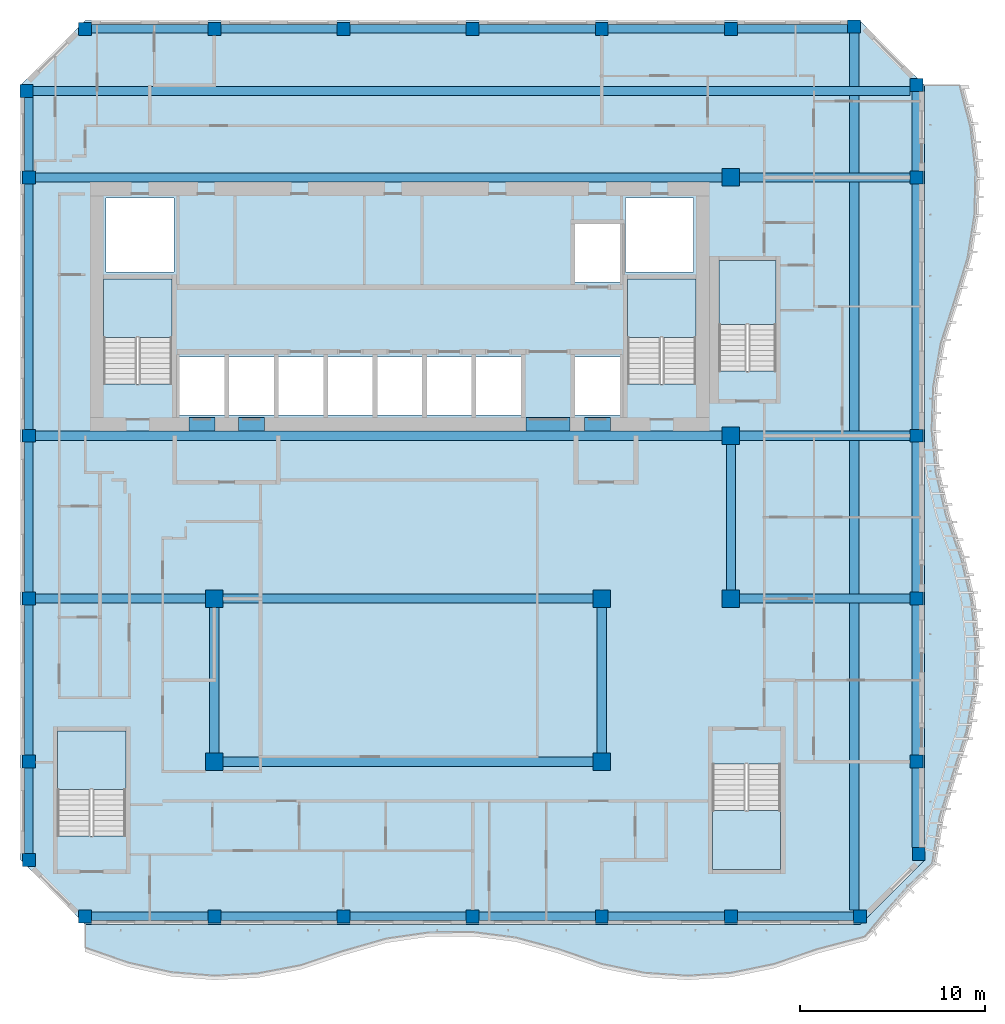
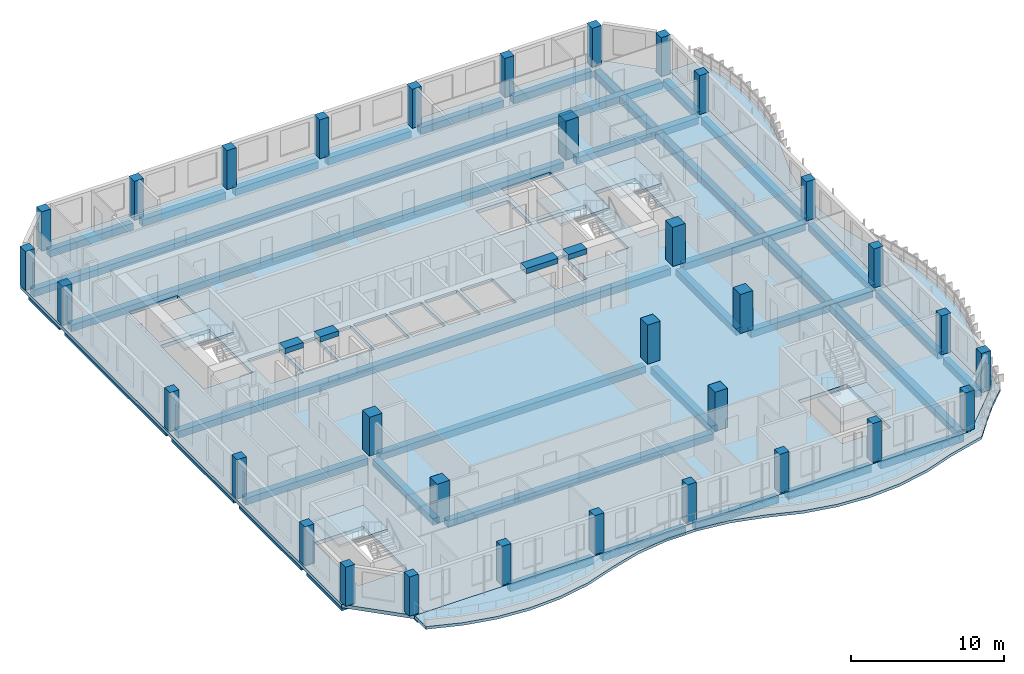
# One storey, part 1 of 19: 39 beams, 33 columns, 7 slabs, 5 elements without a shape of their own.
"""IFC4 building model written with IfcOpenShell, lengths in metres."""

from ifc_helpers import new_model, si_unit, direction, frame, origin, origin_2d, place, context, subcontext, project, spatial, polyline, rectangle, outline, extrude, source, transform, mapped, material, layer, layer_set, material_profile, profile_set, type_object, element, aggregate, save


model = new_model("IFC4")

# Units and contexts
model_context = context("Model", 3, precision=1e-05, world=origin(), true_north=direction((0.0, 1.0)))
body_context = subcontext(model_context, "Body", "Model", "MODEL_VIEW")
ifc_project = project(units=[si_unit("LENGTHUNIT", "METRE"), si_unit("AREAUNIT", "SQUARE_METRE"), si_unit("VOLUMEUNIT", "CUBIC_METRE"), si_unit("PLANEANGLEUNIT", "RADIAN"), si_unit("MASSUNIT", "GRAM", prefix="KILO")], contexts=[model_context])

# Site, building, storey
site_placement = place(None, origin())
site = spatial("IfcSite", under=ifc_project, at=site_placement, CompositionType="ELEMENT")
building_placement = place(site_placement, origin())
building = spatial("IfcBuilding", under=site, at=building_placement, Name="Kilnfold Tower and Market Hall", CompositionType="ELEMENT")
storey_placement = place(building_placement, frame((0.0, 0.0, 245.800048828125)))
storey = spatial("IfcBuildingStorey", under=building, at=storey_placement, Name="L59", CompositionType="ELEMENT", Elevation=245.800048828125)

# Columns
ifc_material_1 = material(Name="Concrete C60", Category="concrete")
ifc_material_profile_1 = material_profile(ifc_material_1, rectangle(XDim=0.699951171875, YDim=0.699951171875, at=origin_2d()), Name="RC 700x700")
ifc_profile_set_1 = profile_set([ifc_material_profile_1], Name="Concrete C60")
column_type_1 = type_object("IfcColumnType", Name="COLUMN 700X700 C60", PredefinedType="COLUMN", material=ifc_profile_set_1)
shared_shape_1 = source(origin(), body_context, "Body", "SweptSolid", [
    extrude(rectangle(XDim=0.699951171875, YDim=0.699951171875, at=origin_2d()), origin(), (0.0, 0.0, 1.0), 3.119873046875),
])
for number, where, z_axis, x_axis, name in (
    (1, (-19.181884765625, 26.681884765625, 0.0), (0.0, 0.0, 1.0), (1.0, 0.0, 0.0), "Column C-B7-1G"),
    (2, (-19.050048828125, -15.0, 0.0), (0.0, 0.0, 1.0), (1.0, 0.0, 0.0), "Column C-B7-1B"),
    (3, (-19.050048828125, -9.666748046875, 0.0), (0.0, 0.0, 1.0), (1.0, 0.0, 0.0), "Column C-B7-1C"),
    (4, (-19.050048828125, -0.833251953125, 0.0), (0.0, 0.0, 1.0), (1.0, 0.0, 0.0), "Column C-B7-1D"),
    (5, (-19.050048828125, 8.0, 0.0), (0.0, 0.0, 1.0), (1.0, 0.0, 0.0), "Column C-B7-1E"),
    (6, (-19.050048828125, 22.0, 0.0), (0.0, 0.0, 1.0), (1.0, 0.0, 0.0), "Column C-B7-1F"),
    (7, (-16.0, -18.050048828125, 0.0), (0.0, 0.0, 1.0), (1.0, 0.0, 0.0), "Column C-B7-2A"),
    (8, (-16.0, 30.050048828125, 0.0), (0.0, 0.0, 1.0), (1.0, 0.0, 0.0), "Column C-B7-2H"),
    (9, (-9.0, -18.050048828125, 0.0), (0.0, 0.0, 1.0), (1.0, 0.0, 0.0), "Column C-B7-3A"),
    (10, (-9.0, 30.050048828125, 0.0), (0.0, 0.0, 1.0), (1.0, 0.0, 0.0), "Column C-B7-3H"),
    (11, (-2.0, -18.050048828125, 0.0), (0.0, 0.0, 1.0), (1.0, 0.0, 0.0), "Column C-B7-4A"),
    (12, (-2.0, 30.050048828125, 0.0), (0.0, 0.0, 1.0), (1.0, 0.0, 0.0), "Column C-B7-4H"),
    (13, (5.0, -18.050048828125, 0.0), (0.0, 0.0, 1.0), (1.0, 0.0, 0.0), "Column C-B7-5A"),
    (14, (5.0, 30.050048828125, 0.0), (0.0, 0.0, 1.0), (1.0, 0.0, 0.0), "Column C-B7-5H"),
    (15, (12.0, -18.050048828125, 0.0), (0.0, 0.0, 1.0), (1.0, 0.0, 0.0), "Column C-B7-6A"),
    (16, (12.0, 30.050048828125, 0.0), (0.0, 0.0, 1.0), (1.0, 0.0, 0.0), "Column C-B7-6H"),
    (17, (19.0, -18.050048828125, 0.0), (0.0, 0.0, 1.0), (1.0, 0.0, 0.0), "Column C-B7-7A"),
    (18, (19.0, 30.050048828125, 0.0), (0.0, 0.0, 1.0), (1.0, 0.0, 0.0), "Column C-B7-7H"),
    (19, (25.681884765625, 30.181884765625, 0.0), (0.0, 0.0, 1.0), (1.0, 0.0, 0.0), "Column C-B7-8H"),
    (20, (26.0, -18.050048828125, 0.0), (0.0, 0.0, 1.0), (1.0, 0.0, 0.0), "Column C-B7-8A"),
    (21, (29.050048828125, -9.666748046875, 0.0), (0.0, 0.0, 1.0), (1.0, 0.0, 0.0), "Column C-B7-9C"),
    (22, (29.050048828125, -0.833251953125, 0.0), (0.0, 0.0, 1.0), (1.0, 0.0, 0.0), "Column C-B7-9D"),
    (23, (29.050048828125, 8.0, 0.0), (0.0, 0.0, 1.0), (1.0, 0.0, 0.0), "Column C-B7-9E"),
    (24, (29.050048828125, 22.0, 0.0), (0.0, 0.0, 1.0), (1.0, 0.0, 0.0), "Column C-B7-9F"),
    (25, (29.050048828125, 27.0, 0.0), (0.0, 0.0, 1.0), (1.0, 0.0, 0.0), "Column C-B7-9G"),
    (26, (29.181884765625, -14.681884765625, 0.0), (0.0, 0.0, 1.0), (1.0, 0.0, 0.0), "Column C-B7-9B"),
):
    element("IfcColumn", number, at=place(storey_placement, frame(where, z_axis=z_axis, x_axis=x_axis)), inside=storey, type_object=column_type_1, Name=name, PredefinedType="COLUMN", context=body_context, shape_type="MappedRepresentation", body=[
        mapped(shared_shape_1, transform((0.0, 0.0, 0.0))),
    ])
ifc_material_2 = material(Name="Concrete C60", Category="concrete")
ifc_material_profile_2 = material_profile(ifc_material_2, rectangle(XDim=0.949951171875, YDim=0.949951171875, at=origin_2d()), Name="RC 950x950")
ifc_profile_set_2 = profile_set([ifc_material_profile_2], Name="Concrete C60")
column_type_2 = type_object("IfcColumnType", Name="COLUMN 950X950 C60", PredefinedType="COLUMN", material=ifc_profile_set_2)
shared_shape_2 = source(origin(), body_context, "Body", "SweptSolid", [
    extrude(rectangle(XDim=0.949951171875, YDim=0.949951171875, at=origin_2d()), origin(), (0.0, 0.0, 1.0), 3.119873046875),
])
for number, where, z_axis, x_axis, name in (
    (27, (-9.0, -9.666748046875, 0.0), (0.0, 0.0, 1.0), (1.0, 0.0, 0.0), "Column C-B7-3C"),
    (28, (-9.0, -0.833251953125, 0.0), (0.0, 0.0, 1.0), (1.0, 0.0, 0.0), "Column C-B7-3D"),
    (29, (12.0, -9.666748046875, 0.0), (0.0, 0.0, 1.0), (1.0, 0.0, 0.0), "Column C-B7-6C"),
    (30, (12.0, -0.833251953125, 0.0), (0.0, 0.0, 1.0), (1.0, 0.0, 0.0), "Column C-B7-6D"),
    (31, (19.0, -0.833251953125, 0.0), (0.0, 0.0, 1.0), (1.0, 0.0, 0.0), "Column C-B7-7D"),
    (32, (19.0, 8.0, 0.0), (0.0, 0.0, 1.0), (1.0, 0.0, 0.0), "Column C-B7-7E"),
    (33, (19.0, 22.0, 0.0), (0.0, 0.0, 1.0), (1.0, 0.0, 0.0), "Column C-B7-7F"),
):
    element("IfcColumn", number, at=place(storey_placement, frame(where, z_axis=z_axis, x_axis=x_axis)), inside=storey, type_object=column_type_2, Name=name, PredefinedType="COLUMN", context=body_context, shape_type="MappedRepresentation", body=[
        mapped(shared_shape_2, transform((0.0, 0.0, 0.0))),
    ])

# Beams
ifc_material_3 = material(Name="Concrete C60", Category="concrete")
ifc_material_profile_3 = material_profile(ifc_material_3, rectangle(XDim=0.75, YDim=0.419921875, at=origin_2d()), Name="RC 750x420")
ifc_profile_set_3 = profile_set([ifc_material_profile_3], Name="Concrete C60")
beam_type_1 = type_object("IfcBeamType", Name="COUPLING BEAM 750X420 C60", PredefinedType="BEAM", material=ifc_profile_set_3)
shared_shape_3 = source(origin(), body_context, "Body", "SweptSolid", [
    extrude(rectangle(XDim=0.75, YDim=0.419921875, at=origin_2d()), origin(), (0.0, 0.0, 1.0), 1.400146484375),
])
beam_1_placement = place(storey_placement, frame((-10.3701171875, 8.625, 2.909912109375), z_axis=(1.0, 0.0, 0.0), x_axis=(0.0, 1.0, 0.0)))
element("IfcBeam", 34, at=beam_1_placement, inside=storey, type_object=beam_type_1, Name="Coupling beam CB420-60-CORE.34", PredefinedType="BEAM", context=body_context, shape_type="MappedRepresentation", body=[
    mapped(shared_shape_3, transform((0.0, 0.0, 0.0))),
])
shared_shape_4 = source(origin(), body_context, "Body", "SweptSolid", [
    extrude(rectangle(XDim=0.75, YDim=0.419921875, at=origin_2d()), origin(), (0.0, 0.0, 1.0), 1.39990234375),
])
for number, where, z_axis, x_axis, name in (
    (35, (-7.68994140625, 8.625, 2.909912109375), (1.0, 0.0, 0.0), (0.0, 1.0, 0.0), "Coupling beam CB420-60-CORE.35"),
    (36, (11.070068359375, 8.625, 2.909912109375), (1.0, 0.0, 0.0), (0.0, 1.0, 0.0), "Coupling beam CB420-60-CORE.37"),
):
    element("IfcBeam", number, at=place(storey_placement, frame(where, z_axis=z_axis, x_axis=x_axis)), inside=storey, type_object=beam_type_1, Name=name, PredefinedType="BEAM", context=body_context, shape_type="MappedRepresentation", body=[
        mapped(shared_shape_4, transform((0.0, 0.0, 0.0))),
    ])
shared_shape_5 = source(origin(), body_context, "Body", "SweptSolid", [
    extrude(rectangle(XDim=0.75, YDim=0.419921875, at=origin_2d()), origin(), (0.0, 0.0, 1.0), 2.400146484375),
])
beam_2_placement = place(storey_placement, frame((7.889892578125, 8.625, 2.909912109375), z_axis=(1.0, 0.0, 0.0), x_axis=(0.0, 1.0, 0.0)))
element("IfcBeam", 37, at=beam_2_placement, inside=storey, type_object=beam_type_1, Name="Coupling beam CB420-60-CORE.36", PredefinedType="BEAM", context=body_context, shape_type="MappedRepresentation", body=[
    mapped(shared_shape_5, transform((0.0, 0.0, 0.0))),
])
ifc_material_4 = material(Name="Concrete C45", Category="concrete")
ifc_material_profile_4 = material_profile(ifc_material_4, rectangle(XDim=0.449951171875, YDim=0.550048828125, at=origin_2d()), Name="RC 450x550")
ifc_profile_set_4 = profile_set([ifc_material_profile_4], Name="Concrete C45")
beam_type_2 = type_object("IfcBeamType", Name="EDGE BEAM 450X550 C45", PredefinedType="BEAM", material=ifc_profile_set_4)
shared_shape_6 = source(origin(), body_context, "Body", "SweptSolid", [
    extrude(rectangle(XDim=0.449951171875, YDim=0.550048828125, at=origin_2d()), origin(), (0.0, 0.0, 1.0), 13.2998046875),
])
for number, where, z_axis, x_axis, name in (
    (38, (-19.050048828125, 8.35009765625, -0.554931640625), (0.0, 1.0, 0.0), (-1.0, 0.0, 0.0), "Beam EB550-B7.50"),
    (39, (29.050048828125, 8.35009765625, -0.554931640625), (0.0, 1.0, 0.0), (-1.0, 0.0, 0.0), "Beam EB550-B7.58"),
):
    element("IfcBeam", number, at=place(storey_placement, frame(where, z_axis=z_axis, x_axis=x_axis)), inside=storey, type_object=beam_type_2, Name=name, PredefinedType="BEAM", context=body_context, shape_type="MappedRepresentation", body=[
        mapped(shared_shape_6, transform((0.0, 0.0, 0.0))),
    ])
shared_shape_7 = source(origin(), body_context, "Body", "SweptSolid", [
    extrude(rectangle(XDim=0.449951171875, YDim=0.550048828125, at=origin_2d()), origin(), (0.0, 0.0, 1.0), 6.2998046875),
])
for number, where, z_axis, x_axis, name in (
    (40, (-15.64990234375, -18.050048828125, -0.554931640625), (1.0, 0.0, 0.0), (0.0, 1.0, 0.0), "Beam EB550-B7.59"),
    (41, (-8.64990234375, -18.050048828125, -0.554931640625), (1.0, 0.0, 0.0), (0.0, 1.0, 0.0), "Beam EB550-B7.60"),
    (42, (-1.64990234375, -18.050048828125, -0.554931640625), (1.0, 0.0, 0.0), (0.0, 1.0, 0.0), "Beam EB550-B7.61"),
    (43, (5.35009765625, -18.050048828125, -0.554931640625), (1.0, 0.0, 0.0), (0.0, 1.0, 0.0), "Beam EB550-B7.62"),
    (44, (12.35009765625, -18.050048828125, -0.554931640625), (1.0, 0.0, 0.0), (0.0, 1.0, 0.0), "Beam EB550-B7.63"),
    (45, (19.35009765625, -18.050048828125, -0.554931640625), (1.0, 0.0, 0.0), (0.0, 1.0, 0.0), "Beam EB550-B7.64"),
    (46, (-15.64990234375, 30.050048828125, -0.554931640625), (1.0, 0.0, 0.0), (0.0, 1.0, 0.0), "Beam EB550-B7.72"),
    (47, (-8.64990234375, 30.050048828125, -0.554931640625), (1.0, 0.0, 0.0), (0.0, 1.0, 0.0), "Beam EB550-B7.73"),
    (48, (-1.64990234375, 30.050048828125, -0.554931640625), (1.0, 0.0, 0.0), (0.0, 1.0, 0.0), "Beam EB550-B7.74"),
    (49, (5.35009765625, 30.050048828125, -0.554931640625), (1.0, 0.0, 0.0), (0.0, 1.0, 0.0), "Beam EB550-B7.75"),
    (50, (12.35009765625, 30.050048828125, -0.554931640625), (1.0, 0.0, 0.0), (0.0, 1.0, 0.0), "Beam EB550-B7.76"),
):
    element("IfcBeam", number, at=place(storey_placement, frame(where, z_axis=z_axis, x_axis=x_axis)), inside=storey, type_object=beam_type_2, Name=name, PredefinedType="BEAM", context=body_context, shape_type="MappedRepresentation", body=[
        mapped(shared_shape_7, transform((0.0, 0.0, 0.0))),
    ])
ifc_material_5 = material(Name="Concrete C45", Category="concrete")
ifc_material_profile_5 = material_profile(ifc_material_5, rectangle(XDim=0.5, YDim=0.550048828125, at=origin_2d()), Name="RC 500x550")
ifc_profile_set_5 = profile_set([ifc_material_profile_5], Name="Concrete C45")
beam_type_3 = type_object("IfcBeamType", Name="BEAM 500X550 C45", PredefinedType="BEAM", material=ifc_profile_set_5)
shared_shape_8 = source(origin(), body_context, "Body", "SweptSolid", [
    extrude(rectangle(XDim=0.5, YDim=0.550048828125, at=origin_2d()), origin(), (0.0, 0.0, 1.0), 9.224853515625),
])
for number, where, z_axis, x_axis, name in (
    (51, (-18.699951171875, -0.830078125, -0.554931640625), (1.0, 0.0, 0.0), (0.0, 1.0, 0.0), "Beam BB550-B7.65"),
    (52, (19.47509765625, -0.830078125, -0.554931640625), (1.0, 0.0, 0.0), (0.0, 1.0, 0.0), "Beam BB550-B7.66"),
    (53, (19.47509765625, 8.0, -0.554931640625), (1.0, 0.0, 0.0), (0.0, 1.0, 0.0), "Beam BB550-B7.68"),
    (54, (19.47509765625, 22.0, -0.554931640625), (1.0, 0.0, 0.0), (0.0, 1.0, 0.0), "Beam BB550-B7.70"),
):
    element("IfcBeam", number, at=place(storey_placement, frame(where, z_axis=z_axis, x_axis=x_axis)), inside=storey, type_object=beam_type_3, Name=name, PredefinedType="BEAM", context=body_context, shape_type="MappedRepresentation", body=[
        mapped(shared_shape_8, transform((0.0, 0.0, 0.0))),
    ])
shared_shape_9 = source(origin(), body_context, "Body", "SweptSolid", [
    extrude(rectangle(XDim=0.5, YDim=0.550048828125, at=origin_2d()), origin(), (0.0, 0.0, 1.0), 37.224853515625),
])
for number, where, z_axis, x_axis, name in (
    (55, (-18.699951171875, 8.0, -0.554931640625), (1.0, 0.0, 0.0), (0.0, 1.0, 0.0), "Beam BB550-B7.67"),
    (56, (-18.699951171875, 22.0, -0.554931640625), (1.0, 0.0, 0.0), (0.0, 1.0, 0.0), "Beam BB550-B7.69"),
):
    element("IfcBeam", number, at=place(storey_placement, frame(where, z_axis=z_axis, x_axis=x_axis)), inside=storey, type_object=beam_type_3, Name=name, PredefinedType="BEAM", context=body_context, shape_type="MappedRepresentation", body=[
        mapped(shared_shape_9, transform((0.0, 0.0, 0.0))),
    ])
shared_shape_10 = source(origin(), body_context, "Body", "SweptSolid", [
    extrude(rectangle(XDim=0.5, YDim=0.550048828125, at=origin_2d()), origin(), (0.0, 0.0, 1.0), 47.53173828125),
])
for number, where, z_axis, x_axis, name in (
    (57, (-18.831787109375, 26.679931640625, -0.554931640625), (1.0, 0.0, 0.0), (0.0, 1.0, 0.0), "Beam BB550-B7.71"),
    (58, (25.679931640625, -17.699951171875, -0.554931640625), (0.0, 1.0, 0.0), (-1.0, 0.0, 0.0), "Beam BB550-B7.85"),
):
    element("IfcBeam", number, at=place(storey_placement, frame(where, z_axis=z_axis, x_axis=x_axis)), inside=storey, type_object=beam_type_3, Name=name, PredefinedType="BEAM", context=body_context, shape_type="MappedRepresentation", body=[
        mapped(shared_shape_10, transform((0.0, 0.0, 0.0))),
    ])
shared_shape_11 = source(origin(), body_context, "Body", "SweptSolid", [
    extrude(rectangle(XDim=0.449951171875, YDim=0.550048828125, at=origin_2d()), origin(), (0.0, 0.0, 1.0), 5.981689453125),
])
beam_3_placement = place(storey_placement, frame((19.35009765625, 30.050048828125, -0.554931640625), z_axis=(1.0, 0.0, 0.0), x_axis=(0.0, 1.0, 0.0)))
element("IfcBeam", 59, at=beam_3_placement, inside=storey, type_object=beam_type_2, Name="Beam EB550-B7.77", PredefinedType="BEAM", context=body_context, shape_type="MappedRepresentation", body=[
    mapped(shared_shape_11, transform((0.0, 0.0, 0.0))),
])
shared_shape_12 = source(origin(), body_context, "Body", "SweptSolid", [
    extrude(rectangle(XDim=0.449951171875, YDim=0.550048828125, at=origin_2d()), origin(), (0.0, 0.0, 1.0), 4.63330078125),
])
beam_4_placement = place(storey_placement, frame((-19.050048828125, -14.64990234375, -0.554931640625), z_axis=(0.0, 1.0, 0.0), x_axis=(-1.0, 0.0, 0.0)))
element("IfcBeam", 60, at=beam_4_placement, inside=storey, type_object=beam_type_2, Name="Beam EB550-B7.78", PredefinedType="BEAM", context=body_context, shape_type="MappedRepresentation", body=[
    mapped(shared_shape_12, transform((0.0, 0.0, 0.0))),
])
shared_shape_13 = source(origin(), body_context, "Body", "SweptSolid", [
    extrude(rectangle(XDim=0.449951171875, YDim=0.550048828125, at=origin_2d()), origin(), (0.0, 0.0, 1.0), 8.13330078125),
])
for number, where, z_axis, x_axis, name in (
    (61, (-19.050048828125, -9.316650390625, -0.554931640625), (0.0, 1.0, 0.0), (-1.0, 0.0, 0.0), "Beam EB550-B7.79"),
    (62, (-19.050048828125, -0.4833984375, -0.554931640625), (0.0, 1.0, 0.0), (-1.0, 0.0, 0.0), "Beam EB550-B7.80"),
    (63, (29.050048828125, -9.316650390625, -0.554931640625), (0.0, 1.0, 0.0), (-1.0, 0.0, 0.0), "Beam EB550-B7.87"),
    (64, (29.050048828125, -0.4833984375, -0.554931640625), (0.0, 1.0, 0.0), (-1.0, 0.0, 0.0), "Beam EB550-B7.88"),
):
    element("IfcBeam", number, at=place(storey_placement, frame(where, z_axis=z_axis, x_axis=x_axis)), inside=storey, type_object=beam_type_2, Name=name, PredefinedType="BEAM", context=body_context, shape_type="MappedRepresentation", body=[
        mapped(shared_shape_13, transform((0.0, 0.0, 0.0))),
    ])
shared_shape_14 = source(origin(), body_context, "Body", "SweptSolid", [
    extrude(rectangle(XDim=0.449951171875, YDim=0.550048828125, at=origin_2d()), origin(), (0.0, 0.0, 1.0), 3.981689453125),
])
beam_5_placement = place(storey_placement, frame((-19.050048828125, 22.35009765625, -0.554931640625), z_axis=(0.0, 1.0, 0.0), x_axis=(-1.0, 0.0, 0.0)))
element("IfcBeam", 65, at=beam_5_placement, inside=storey, type_object=beam_type_2, Name="Beam EB550-B7.81", PredefinedType="BEAM", context=body_context, shape_type="MappedRepresentation", body=[
    mapped(shared_shape_14, transform((0.0, 0.0, 0.0))),
])
shared_shape_15 = source(origin(), body_context, "Body", "SweptSolid", [
    extrude(rectangle(XDim=0.5, YDim=0.550048828125, at=origin_2d()), origin(), (0.0, 0.0, 1.0), 7.88330078125),
])
for number, where, z_axis, x_axis, name in (
    (66, (-9.0, -9.191650390625, -0.554931640625), (0.0, 1.0, 0.0), (-1.0, 0.0, 0.0), "Beam BB550-B7.82"),
    (67, (12.0, -9.191650390625, -0.554931640625), (0.0, 1.0, 0.0), (-1.0, 0.0, 0.0), "Beam BB550-B7.83"),
    (68, (19.0, -0.3583984375, -0.554931640625), (0.0, 1.0, 0.0), (-1.0, 0.0, 0.0), "Beam BB550-B7.84"),
):
    element("IfcBeam", number, at=place(storey_placement, frame(where, z_axis=z_axis, x_axis=x_axis)), inside=storey, type_object=beam_type_3, Name=name, PredefinedType="BEAM", context=body_context, shape_type="MappedRepresentation", body=[
        mapped(shared_shape_15, transform((0.0, 0.0, 0.0))),
    ])
shared_shape_16 = source(origin(), body_context, "Body", "SweptSolid", [
    extrude(rectangle(XDim=0.449951171875, YDim=0.550048828125, at=origin_2d()), origin(), (0.0, 0.0, 1.0), 4.315185546875),
])
beam_6_placement = place(storey_placement, frame((29.050048828125, -14.331787109375, -0.554931640625), z_axis=(0.0, 1.0, 0.0), x_axis=(-1.0, 0.0, 0.0)))
element("IfcBeam", 69, at=beam_6_placement, inside=storey, type_object=beam_type_2, Name="Beam EB550-B7.86", PredefinedType="BEAM", context=body_context, shape_type="MappedRepresentation", body=[
    mapped(shared_shape_16, transform((0.0, 0.0, 0.0))),
])
shared_shape_17 = source(origin(), body_context, "Body", "SweptSolid", [
    extrude(rectangle(XDim=0.449951171875, YDim=0.550048828125, at=origin_2d()), origin(), (0.0, 0.0, 1.0), 4.2998046875),
])
beam_7_placement = place(storey_placement, frame((29.050048828125, 22.35009765625, -0.554931640625), z_axis=(0.0, 1.0, 0.0), x_axis=(-1.0, 0.0, 0.0)))
element("IfcBeam", 70, at=beam_7_placement, inside=storey, type_object=beam_type_2, Name="Beam EB550-B7.89", PredefinedType="BEAM", context=body_context, shape_type="MappedRepresentation", body=[
    mapped(shared_shape_17, transform((0.0, 0.0, 0.0))),
])
shared_shape_18 = source(origin(), body_context, "Body", "SweptSolid", [
    extrude(rectangle(XDim=0.5, YDim=0.550048828125, at=origin_2d()), origin(), (0.0, 0.0, 1.0), 20.0498046875),
])
for number, where, z_axis, x_axis, name in (
    (71, (-8.52490234375, -9.669921875, -0.554931640625), (1.0, 0.0, 0.0), (0.0, 1.0, 0.0), "Beam BB550-B7.90"),
    (72, (-8.52490234375, -0.830078125, -0.554931640625), (1.0, 0.0, 0.0), (0.0, 1.0, 0.0), "Beam BB550-B7.91"),
):
    element("IfcBeam", number, at=place(storey_placement, frame(where, z_axis=z_axis, x_axis=x_axis)), inside=storey, type_object=beam_type_3, Name=name, PredefinedType="BEAM", context=body_context, shape_type="MappedRepresentation", body=[
        mapped(shared_shape_18, transform((0.0, 0.0, 0.0))),
    ])

# Slabs
ifc_material_6 = material(Name="Concrete C45", Category="concrete")
ifc_layer_1 = layer(ifc_material_6, 0.280029296875)
ifc_layer_set_1 = layer_set([ifc_layer_1], Name="Concrete C45")
slab_type_1 = type_object("IfcSlabType", Name="FLOOR SLAB 280", PredefinedType="FLOOR", material=ifc_layer_set_1)
shared_shape_19 = source(origin(), body_context, "Body", "SweptSolid", [
    extrude(outline(polyline([(-16.0, -18.5), (26.0, -18.5), (29.5, -15.0), (29.5, 27.0), (26.0, 30.5), (-16.0, 30.5), (-19.5, 27.0), (-19.5, -15.0), (-16.0, -18.5)]), holes=[polyline([(-13.800537109375, -13.699462890625), (-17.49951171875, -13.699462890625), (-17.49951171875, -8.00048828125), (-13.800537109375, -8.00048828125), (-13.800537109375, -13.699462890625)]), polyline([(-11.300537109375, 10.800537109375), (-14.99951171875, 10.800537109375), (-14.99951171875, 16.49951171875), (-11.300537109375, 16.49951171875), (-11.300537109375, 10.800537109375)]), polyline([(-11.175048828125, 16.875), (-14.875, 16.875), (-14.875, 20.875), (-11.175048828125, 20.875), (-11.175048828125, 16.875)]), polyline([(-8.455078125, 9.125), (-10.885009765625, 9.125), (-10.885009765625, 12.27490234375), (-8.455078125, 12.27490234375), (-8.455078125, 9.125)]), polyline([(-5.77490234375, 9.125), (-8.205078125, 9.125), (-8.205078125, 12.27490234375), (-5.77490234375, 12.27490234375), (-5.77490234375, 9.125)]), polyline([(-3.094970703125, 9.125), (-5.52490234375, 9.125), (-5.52490234375, 12.27490234375), (-3.094970703125, 12.27490234375), (-3.094970703125, 9.125)]), polyline([(-0.4150390625, 9.125), (-2.844970703125, 9.125), (-2.844970703125, 12.27490234375), (-0.4150390625, 12.27490234375), (-0.4150390625, 9.125)]), polyline([(2.264892578125, 9.125), (-0.1650390625, 9.125), (-0.1650390625, 12.27490234375), (2.264892578125, 12.27490234375), (2.264892578125, 9.125)]), polyline([(4.945068359375, 9.125), (2.514892578125, 9.125), (2.514892578125, 12.27490234375), (4.945068359375, 12.27490234375), (4.945068359375, 9.125)]), polyline([(7.625, 9.125), (5.195068359375, 9.125), (5.195068359375, 12.27490234375), (7.625, 12.27490234375), (7.625, 9.125)]), polyline([(12.985107421875, 9.125), (10.554931640625, 9.125), (10.554931640625, 12.27490234375), (12.985107421875, 12.27490234375), (12.985107421875, 9.125)]), polyline([(12.985107421875, 16.324951171875), (10.554931640625, 16.324951171875), (10.554931640625, 19.47509765625), (12.985107421875, 19.47509765625), (12.985107421875, 16.324951171875)]), polyline([(16.97509765625, 16.875), (13.27490234375, 16.875), (13.27490234375, 20.875), (16.97509765625, 20.875), (16.97509765625, 16.875)]), polyline([(17.099609375, 10.800537109375), (13.400390625, 10.800537109375), (13.400390625, 16.49951171875), (17.099609375, 16.49951171875), (17.099609375, 10.800537109375)]), polyline([(18.00048828125, -9.800537109375), (21.699462890625, -9.800537109375), (21.699462890625, -15.49951171875), (18.00048828125, -15.49951171875), (18.00048828125, -9.800537109375)]), polyline([(21.449462890625, 11.50048828125), (18.3505859375, 11.50048828125), (18.3505859375, 17.49951171875), (21.449462890625, 17.49951171875), (21.449462890625, 11.50048828125)])]), origin(), (0.0, 0.0, 1.0), 0.280029296875),
])
slab_1_placement = place(storey_placement, frame((0.0, 0.0, -0.280029296875)))
element("IfcSlab", 73, at=slab_1_placement, inside=storey, type_object=slab_type_1, Name="Floor slab L59", PredefinedType="FLOOR", context=body_context, shape_type="MappedRepresentation", body=[
    mapped(shared_shape_19, transform((0.0, 0.0, 0.0))),
])
ifc_material_7 = material(Name="Concrete C40/50", Category="concrete")
ifc_layer_2 = layer(ifc_material_7, 0.219970703125)
ifc_layer_set_2 = layer_set([ifc_layer_2], Name="Concrete C40/50")
slab_type_2 = type_object("IfcSlabType", Name="BALCONY SLAB 220", PredefinedType="FLOOR", material=ifc_layer_set_2)
shared_shape_20 = source(origin(), body_context, "Body", "SweptSolid", [
    extrude(outline(polyline([(-16.0, -18.5), (26.0, -18.5), (29.5, -15.0), (29.5, 27.0), (31.626953125, 27.0), (32.2197265625, 24.666748046875), (32.482666015625, 22.333251953125), (32.430419921875, 20.0), (32.060791015625, 17.666748046875), (31.351318359375, 15.333251953125), (30.602294921875, 13.0), (30.1953125, 10.666748046875), (30.107666015625, 8.333251953125), (30.334228515625, 6.0), (30.88818359375, 3.666748046875), (31.707763671875, 1.333251953125), (32.263671875, -1.0), (32.491943359375, -3.333251953125), (32.406005859375, -5.666748046875), (32.0009765625, -8.0), (31.253662109375, -10.333251953125), (30.542236328125, -12.666748046875), (30.11962890625, -15.256591796875), (28.7578125, -16.591064453125), (27.652099609375, -17.818603515625), (26.3564453125, -19.360595703125), (23.666748046875, -20.064453125), (21.333251953125, -20.86572265625), (19.0, -21.34423828125), (16.666748046875, -21.5), (14.333251953125, -21.341796875), (12.0, -20.86083984375), (9.666748046875, -20.058349609375), (7.333251953125, -19.427978515625), (5.0, -19.130615234375), (2.666748046875, -19.148681640625), (0.333251953125, -19.4833984375), (-2.0, -20.154296875), (-4.333251953125, -20.93359375), (-6.666748046875, -21.376220703125), (-9.0, -21.498046875), (-11.333251953125, -21.3056640625), (-13.666748046875, -20.788330078125), (-16.0, -19.97314453125), (-16.0, -18.5)])), origin(), (0.0, 0.0, 1.0), 0.219970703125),
])
slab_2_placement = place(storey_placement, frame((0.0, 0.0, -0.219970703125)))
element("IfcSlab", 74, at=slab_2_placement, inside=storey, type_object=slab_type_2, Name="Balcony slab L59", PredefinedType="FLOOR", context=body_context, shape_type="MappedRepresentation", body=[
    mapped(shared_shape_20, transform((0.0, 0.0, 0.0))),
])

# Stair, slab
ifc_material_8 = material(Name="Concrete C40/50", Category="concrete")
stair_type_1 = type_object("IfcStairType", Name="CORE STAIR 1800", PredefinedType="HALF_TURN_STAIR", material=ifc_material_8)
stair_1_placement = place(storey_placement, origin())
stair_1 = element("IfcStair", 75, at=stair_1_placement, inside=storey, type_object=stair_type_1, Name="L59 ST1", PredefinedType="HALF_TURN_STAIR")
ifc_material_9 = material(Name="Concrete C40/50", Category="concrete")
ifc_layer_3 = layer(ifc_material_9, 0.199951171875)
ifc_layer_set_3 = layer_set([ifc_layer_3], Name="Concrete C40/50")
slab_type_3 = type_object("IfcSlabType", Name="CORE STAIR LANDING 200", PredefinedType="LANDING", material=ifc_layer_set_3)
shared_shape_21 = source(origin(), body_context, "Body", "SweptSolid", [
    extrude(outline(polyline([(-11.300048828125, 13.320068359375), (-11.300048828125, 16.5), (-15.0, 16.5), (-15.0, 13.320068359375), (-11.300048828125, 13.320068359375)])), origin(), (0.0, 0.0, 1.0), 0.199951171875),
])
slab_3_placement = place(storey_placement, frame((0.0, 0.0, 1.5)))
slab_3 = element("IfcSlab", 76, at=slab_3_placement, type_object=slab_type_3, Name="ST1 landing 1", PredefinedType="LANDING", context=body_context, shape_type="MappedRepresentation", body=[
    mapped(shared_shape_21, transform((0.0, 0.0, 0.0))),
])
aggregate(stair_1, [slab_3])

stair_2_placement = place(storey_placement, origin())
stair_2 = element("IfcStair", 77, at=stair_2_placement, inside=storey, type_object=stair_type_1, Name="L59 ST2", PredefinedType="HALF_TURN_STAIR")
shared_shape_22 = source(origin(), body_context, "Body", "SweptSolid", [
    extrude(outline(polyline([(17.10009765625, 13.320068359375), (17.10009765625, 16.5), (13.39990234375, 16.5), (13.39990234375, 13.320068359375), (17.10009765625, 13.320068359375)])), origin(), (0.0, 0.0, 1.0), 0.199951171875),
])
slab_4_placement = place(storey_placement, frame((0.0, 0.0, 1.5)))
slab_4 = element("IfcSlab", 78, at=slab_4_placement, type_object=slab_type_3, Name="ST2 landing 1", PredefinedType="LANDING", context=body_context, shape_type="MappedRepresentation", body=[
    mapped(shared_shape_22, transform((0.0, 0.0, 0.0))),
])
aggregate(stair_2, [slab_4])

stair_3_placement = place(storey_placement, origin())
stair_3 = element("IfcStair", 79, at=stair_3_placement, inside=storey, type_object=stair_type_1, Name="L59 ST3", PredefinedType="HALF_TURN_STAIR")
shared_shape_23 = source(origin(), body_context, "Body", "SweptSolid", [
    extrude(outline(polyline([(-13.800048828125, -11.179931640625), (-13.800048828125, -8.0), (-17.5, -8.0), (-17.5, -11.179931640625), (-13.800048828125, -11.179931640625)])), origin(), (0.0, 0.0, 1.0), 0.199951171875),
])
slab_5_placement = place(storey_placement, frame((0.0, 0.0, 1.5)))
slab_5 = element("IfcSlab", 80, at=slab_5_placement, type_object=slab_type_3, Name="ST3 landing 1", PredefinedType="LANDING", context=body_context, shape_type="MappedRepresentation", body=[
    mapped(shared_shape_23, transform((0.0, 0.0, 0.0))),
])
aggregate(stair_3, [slab_5])

stair_4_placement = place(storey_placement, origin())
stair_4 = element("IfcStair", 81, at=stair_4_placement, inside=storey, type_object=stair_type_1, Name="L59 ST4", PredefinedType="HALF_TURN_STAIR")
shared_shape_24 = source(origin(), body_context, "Body", "SweptSolid", [
    extrude(outline(polyline([(18.0, -12.320068359375), (18.0, -15.5), (21.699951171875, -15.5), (21.699951171875, -12.320068359375), (18.0, -12.320068359375)])), origin(), (0.0, 0.0, 1.0), 0.199951171875),
])
slab_6_placement = place(storey_placement, frame((0.0, 0.0, 1.5)))
slab_6 = element("IfcSlab", 82, at=slab_6_placement, type_object=slab_type_3, Name="ST4 landing 1", PredefinedType="LANDING", context=body_context, shape_type="MappedRepresentation", body=[
    mapped(shared_shape_24, transform((0.0, 0.0, 0.0))),
])
aggregate(stair_4, [slab_6])

ifc_material_10 = material(Name="Concrete C40/50", Category="concrete")
stair_type_2 = type_object("IfcStairType", Name="CORE STAIR 1500", PredefinedType="HALF_TURN_STAIR", material=ifc_material_10)
stair_5_placement = place(storey_placement, origin())
stair_5 = element("IfcStair", 83, at=stair_5_placement, inside=storey, type_object=stair_type_2, Name="L59 ST5", PredefinedType="HALF_TURN_STAIR")
shared_shape_25 = source(origin(), body_context, "Body", "SweptSolid", [
    extrude(outline(polyline([(21.449951171875, 14.02001953125), (21.449951171875, 17.5), (18.35009765625, 17.5), (18.35009765625, 14.02001953125), (21.449951171875, 14.02001953125)])), origin(), (0.0, 0.0, 1.0), 0.199951171875),
])
slab_7_placement = place(storey_placement, frame((0.0, 0.0, 1.5)))
slab_7 = element("IfcSlab", 84, at=slab_7_placement, type_object=slab_type_3, Name="ST5 landing 1", PredefinedType="LANDING", context=body_context, shape_type="MappedRepresentation", body=[
    mapped(shared_shape_25, transform((0.0, 0.0, 0.0))),
])
aggregate(stair_5, [slab_7])

save(model, "model.ifc")
